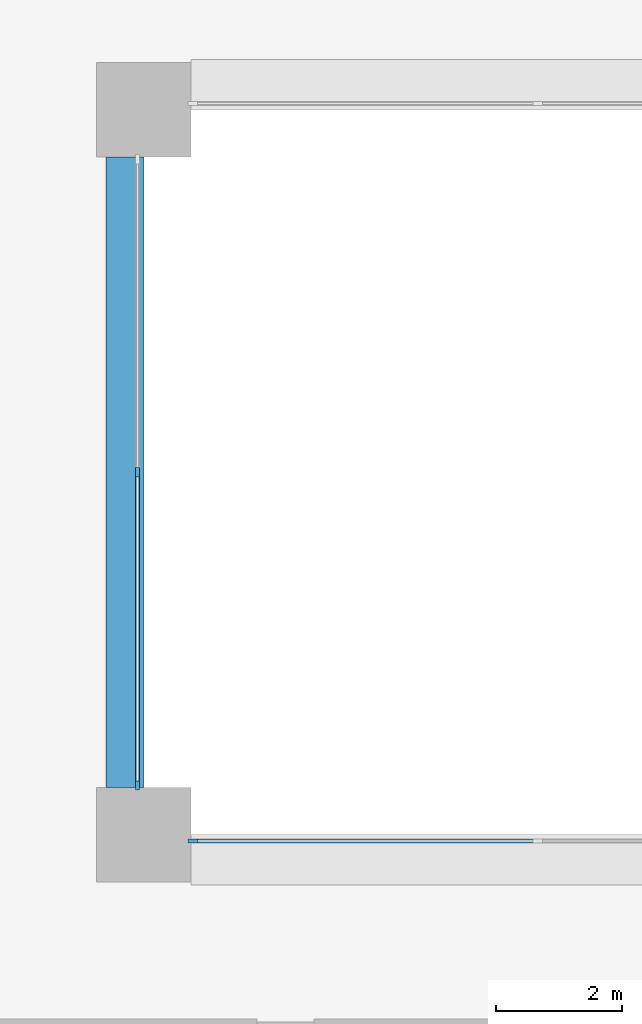
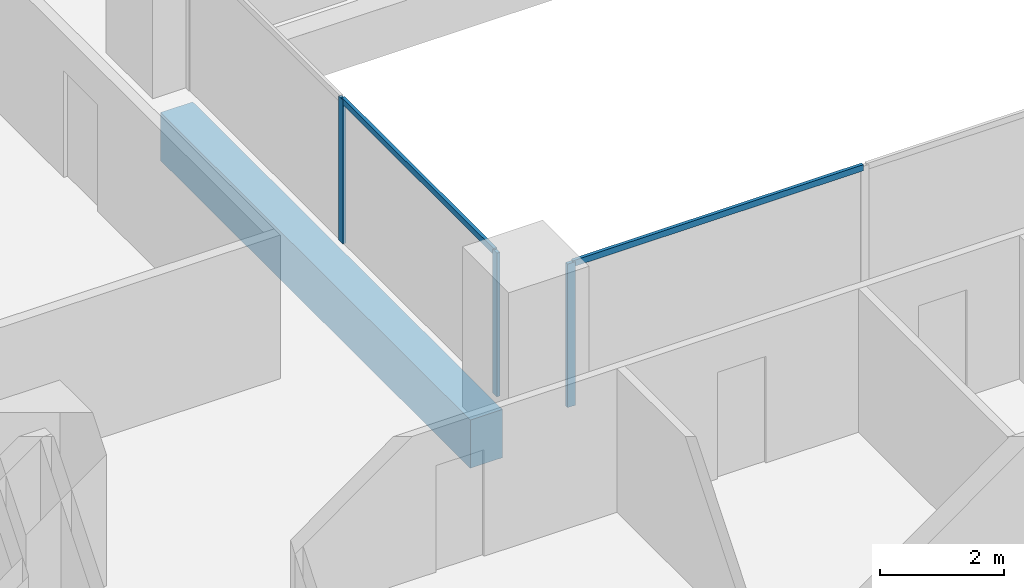
# One storey, part 2 of 20: 5 members, 1 beam, 2 elements without a shape of their own.
"""IFC4 building model written with IfcOpenShell, lengths in metres."""

from ifc_helpers import new_model, si_unit, direction, frame, origin, origin_2d, place, context, subcontext, project, spatial, rectangle, extrude, material, layer, layer_set, material_profile, profile_set, type_object, element, aggregate, save


model = new_model("IFC4")

# Units and contexts
model_context = context("Model", 3, precision=1e-05, world=origin(), true_north=direction((0.0, 1.0)))
body_context = subcontext(model_context, "Body", "Model", "MODEL_VIEW")
ifc_project = project(units=[si_unit("LENGTHUNIT", "METRE"), si_unit("AREAUNIT", "SQUARE_METRE"), si_unit("VOLUMEUNIT", "CUBIC_METRE"), si_unit("PLANEANGLEUNIT", "RADIAN"), si_unit("MASSUNIT", "GRAM", prefix="KILO")], contexts=[model_context])

# Site, building, storey
site_placement = place(None, origin())
site = spatial("IfcSite", under=ifc_project, at=site_placement, CompositionType="ELEMENT")
building_placement = place(site_placement, origin())
building = spatial("IfcBuilding", under=site, at=building_placement, Name="Brigalow Station Residences", CompositionType="ELEMENT")
storey_placement = place(building_placement, frame((0.0, 0.0, 60.449951171875)))
storey = spatial("IfcBuildingStorey", under=building, at=storey_placement, Name="L17", CompositionType="ELEMENT", Elevation=60.449951171875)

# Beam
ifc_material_1 = material(Name="Concrete C65", Category="concrete")
ifc_material_profile_1 = material_profile(ifc_material_1, rectangle(XDim=0.60009765625, YDim=0.949951171875, at=origin_2d()), Name="RC600x950")
ifc_profile_set_1 = profile_set([ifc_material_profile_1], Name="Concrete C65")
beam_type = type_object("IfcBeamType", Name="ATRIUM EDGE GIRDER 600x950 C65", PredefinedType="BEAM", material=ifc_profile_set_1)
beam_placement = place(storey_placement, frame((26.699951171875, 24.75, -0.794921875), z_axis=(0.0, 1.0, 0.0), x_axis=(-1.0, 0.0, 0.0)))
element("IfcBeam", 1, at=beam_placement, inside=storey, type_object=beam_type, Name="ATRIUM EDGE GIRDER 3 L17", PredefinedType="BEAM", context=body_context, shape_type="SweptSolid", body=[
    extrude(rectangle(XDim=0.60009765625, YDim=0.949951171875, at=origin_2d()), origin(), (0.0, 0.0, 1.0), 10.0),
])

# Curtain wall, member
ifc_material_2 = material(Name="Aluminium", Category="aluminium")
ifc_layer = layer(ifc_material_2, 0.14990234375)
ifc_layer_set = layer_set([ifc_layer], Name="ATRIUM FIRE-RATED GLAZING CURTAIN WALL")
curtain_wall_type = type_object("IfcCurtainWallType", Name="ATRIUM FIRE-RATED GLAZING CURTAIN WALL", PredefinedType="NOTDEFINED", material=ifc_layer_set)
curtain_wall_1_placement = place(storey_placement, origin())
curtain_wall_1 = element("IfcCurtainWall", 2, at=curtain_wall_1_placement, inside=storey, type_object=curtain_wall_type, Name="L17/cw/atrium-S", PredefinedType="NOTDEFINED")
ifc_material_3 = material(Name="Aluminium", Category="aluminium")
ifc_material_profile_2 = material_profile(ifc_material_3, rectangle(XDim=0.06005859375, YDim=0.14990234375, at=origin_2d()), Name="ATRIUM FIRE-RATED GLAZING MULLION 60x150")
ifc_profile_set_2 = profile_set([ifc_material_profile_2], Name="Aluminium")
member_type_1 = type_object("IfcMemberType", Name="ATRIUM FIRE-RATED GLAZING MULLION 60x150", PredefinedType="MULLION", material=ifc_profile_set_2)
member_1_placement = place(storey_placement, frame((27.780029296875, 23.89990234375, 0.0), z_axis=(0.0, 0.0, 1.0), x_axis=(0.0, 1.0, 0.0)))
member_1 = element("IfcMember", 3, at=member_1_placement, type_object=member_type_1, Name="L17/cw/atrium-S/M00", PredefinedType="MULLION", context=body_context, shape_type="SweptSolid", body=[
    extrude(rectangle(XDim=0.06005859375, YDim=0.14990234375, at=origin_2d()), origin(), (0.0, 0.0, 1.0), 2.830078125),
])

# Curtain wall, members
curtain_wall_2_placement = place(storey_placement, origin())
curtain_wall_2 = element("IfcCurtainWall", 4, at=curtain_wall_2_placement, inside=storey, type_object=curtain_wall_type, Name="L17/cw/atrium-W", PredefinedType="NOTDEFINED")
member_2_placement = place(storey_placement, frame((26.89990234375, 29.75, 0.0), z_axis=(0.0, 0.0, 1.0), x_axis=(1.0, 0.0, 0.0)))
member_2 = element("IfcMember", 5, at=member_2_placement, type_object=member_type_1, Name="L17/cw/atrium-W/M01", PredefinedType="MULLION", context=body_context, shape_type="SweptSolid", body=[
    extrude(rectangle(XDim=0.06005859375, YDim=0.14990234375, at=origin_2d()), origin(), (0.0, 0.0, 1.0), 2.830078125),
])
member_3_placement = place(storey_placement, frame((26.89990234375, 24.780029296875, 0.0), z_axis=(0.0, 0.0, 1.0), x_axis=(1.0, 0.0, 0.0)))
member_3 = element("IfcMember", 6, at=member_3_placement, type_object=member_type_1, Name="L17/cw/atrium-W/M02", PredefinedType="MULLION", context=body_context, shape_type="SweptSolid", body=[
    extrude(rectangle(XDim=0.06005859375, YDim=0.14990234375, at=origin_2d()), origin(), (0.0, 0.0, 1.0), 2.830078125),
])

# Member
ifc_material_4 = material(Name="Aluminium", Category="aluminium")
ifc_material_profile_3 = material_profile(ifc_material_4, rectangle(XDim=0.06005859375, YDim=0.1201171875, at=origin_2d()), Name="ATRIUM FIRE-RATED GLAZING TRANSOM 60x120")
ifc_profile_set_3 = profile_set([ifc_material_profile_3], Name="Aluminium")
member_type_2 = type_object("IfcMemberType", Name="ATRIUM FIRE-RATED GLAZING TRANSOM 60x120", PredefinedType="USERDEFINED", material=ifc_profile_set_3)
member_4_placement = place(storey_placement, frame((27.81005859375, 23.89990234375, 2.800048828125), z_axis=(1.0, 0.0, 0.0), x_axis=(0.0, 1.0, 0.0)))
member_4 = element("IfcMember", 7, at=member_4_placement, type_object=member_type_2, Name="L17/cw/atrium-S/T00-00", ObjectType="TRANSOM", PredefinedType="USERDEFINED", context=body_context, shape_type="SweptSolid", body=[
    extrude(rectangle(XDim=0.06005859375, YDim=0.1201171875, at=origin_2d()), origin(), (0.0, 0.0, 1.0), 5.409912109375),
])

aggregate(curtain_wall_1, [member_1, member_4])

member_5_placement = place(storey_placement, frame((26.89990234375, 29.719970703125, 2.800048828125), z_axis=(0.0, -1.0, 0.0), x_axis=(1.0, 0.0, 0.0)))
member_5 = element("IfcMember", 8, at=member_5_placement, type_object=member_type_2, Name="L17/cw/atrium-W/T01-00", ObjectType="TRANSOM", PredefinedType="USERDEFINED", context=body_context, shape_type="SweptSolid", body=[
    extrude(rectangle(XDim=0.06005859375, YDim=0.1201171875, at=origin_2d()), origin(), (0.0, 0.0, 1.0), 4.909912109375),
])

aggregate(curtain_wall_2, [member_2, member_3, member_5])

save(model, "model.ifc")
